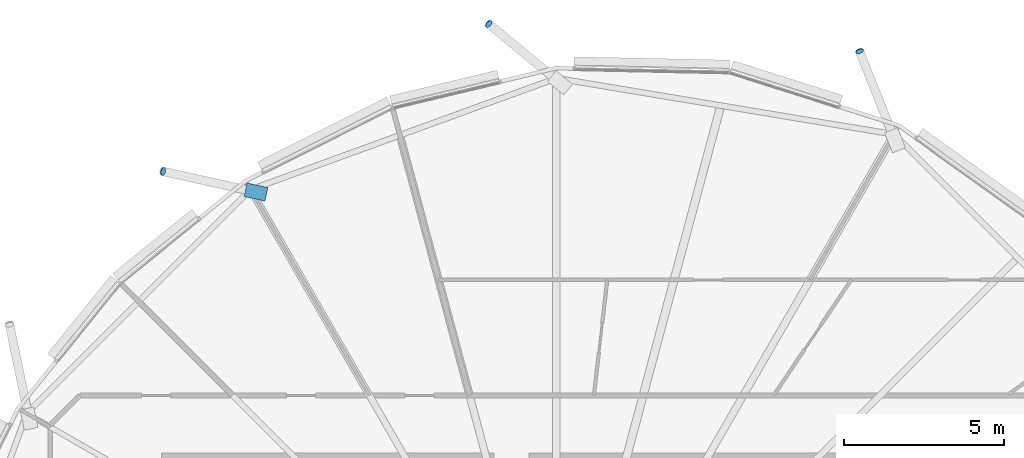
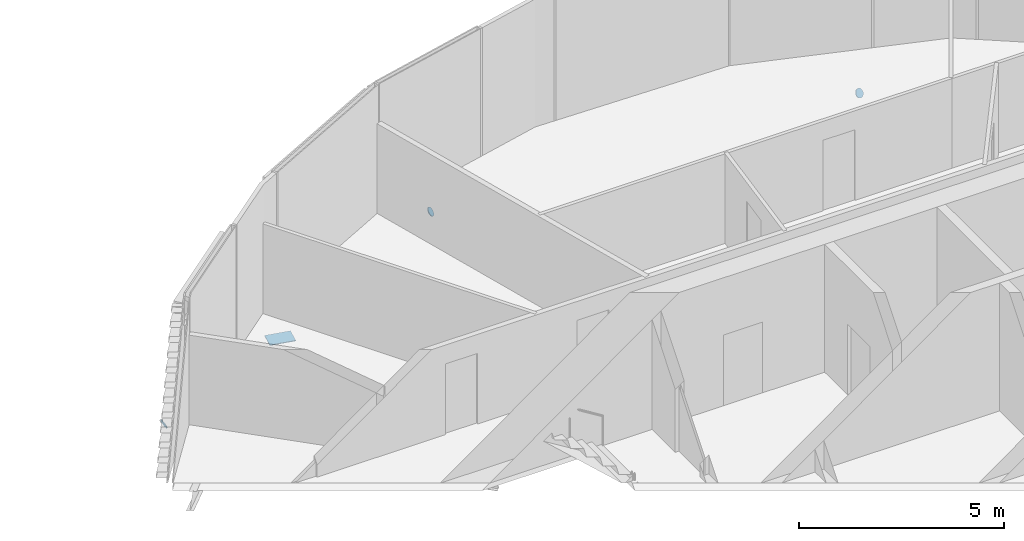
# One storey, part 30 of 36: 4 discrete accessories.
"""IFC4 building model written with IfcOpenShell, lengths in metres."""

from ifc_helpers import new_model, si_unit, direction, frame, origin, origin_2d, place, context, subcontext, project, spatial, polyline, rectangle, circle, outline, extrude, material, material_profile, profile_set, type_object, element, save


model = new_model("IFC4")

# Units and contexts
model_context = context("Model", 3, precision=1e-05, world=origin(), true_north=direction((0.0, 1.0)))
body_context = subcontext(model_context, "Body", "Model", "MODEL_VIEW")
ifc_project = project(units=[si_unit("LENGTHUNIT", "METRE"), si_unit("AREAUNIT", "SQUARE_METRE"), si_unit("VOLUMEUNIT", "CUBIC_METRE"), si_unit("PLANEANGLEUNIT", "RADIAN"), si_unit("MASSUNIT", "GRAM", prefix="KILO")], contexts=[model_context])

# Site, building, storey
site_placement = place(None, origin())
site = spatial("IfcSite", under=ifc_project, at=site_placement, CompositionType="ELEMENT")
building_placement = place(site_placement, origin())
building = spatial("IfcBuilding", under=site, at=building_placement, Name="Rimbun Link Towers", CompositionType="ELEMENT")
storey_placement = place(building_placement, frame((0.0, 0.0, 200.699951171875)))
storey = spatial("IfcBuildingStorey", under=building, at=storey_placement, Name="L49", CompositionType="ELEMENT", Elevation=200.699951171875)

# Discrete accessories
ifc_material_1 = material(Name="Steel S355J2H", Category="steel")
ifc_material_profile_1 = material_profile(ifc_material_1, circle(Radius=0.1240234375, at=origin_2d()), Name="PL D248")
ifc_profile_set_1 = profile_set([ifc_material_profile_1], Name="Steel S355J2H")
discrete_accessory_type_1 = type_object("IfcDiscreteAccessoryType", Name="Link foot sealing plate D248X20", PredefinedType="BRACKET", material=ifc_profile_set_1)
discrete_accessory_1_placement = place(storey_placement, frame((41.202880859375, 20.814208984375, -2.65380859375), z_axis=(-0.314442005857, 0.786105014643, -0.532132625297), x_axis=(-0.928476690885, -0.371390676354, 0.0)))
element("IfcDiscreteAccessory", 1, at=discrete_accessory_1_placement, inside=storey, type_object=discrete_accessory_type_1, Name="Link foot sealing plate T2 L49 01", PredefinedType="BRACKET", context=body_context, shape_type="SweptSolid", body=[
    extrude(circle(Radius=0.1240234375, at=origin_2d()), origin(), (0.0, 0.0, 1.0), 0.020263671875),
])
discrete_accessory_2_placement = place(storey_placement, frame((29.647705078125, 21.667236328125, -2.646240234375), z_axis=(-0.632642732136, 0.535313081038, -0.559645493813), x_axis=(-0.645942241466, -0.763386285369, 0.0)))
element("IfcDiscreteAccessory", 2, at=discrete_accessory_2_placement, inside=storey, type_object=discrete_accessory_type_1, Name="Link foot sealing plate T2 L49 03", PredefinedType="BRACKET", context=body_context, shape_type="SweptSolid", body=[
    extrude(circle(Radius=0.1240234375, at=origin_2d()), origin(), (0.0, 0.0, 1.0), 0.02001953125),
])
discrete_accessory_3_placement = place(storey_placement, frame((19.501220703125, 17.072265625, -2.610595703125), z_axis=(-0.823404068903, 0.172054581562, -0.540742970623), x_axis=(-0.20453763878, -0.978858699876, 0.0)))
element("IfcDiscreteAccessory", 3, at=discrete_accessory_3_placement, inside=storey, type_object=discrete_accessory_type_1, Name="Link foot sealing plate T2 L49 05", PredefinedType="BRACKET", context=body_context, shape_type="SweptSolid", body=[
    extrude(circle(Radius=0.1240234375, at=origin_2d()), origin(), (0.0, 0.0, 1.0), 0.019775390625),
])
ifc_material_2 = material(Name="Steel S355J2H", Category="steel")
ifc_material_profile_2 = material_profile(ifc_material_2, rectangle(XDim=0.43310546875, YDim=0.43310546875, at=origin_2d()), Name="PL 433x433")
ifc_profile_set_2 = profile_set([ifc_material_profile_2], Name="Steel S355J2H")
discrete_accessory_type_2 = type_object("IfcDiscreteAccessoryType", Name="Link head end plate 433X20", PredefinedType="BRACKET", material=ifc_profile_set_2)
discrete_accessory_4_placement = place(storey_placement, frame((0.0, 0.0, -0.703125)))
element("IfcDiscreteAccessory", 4, at=discrete_accessory_4_placement, inside=storey, type_object=discrete_accessory_type_2, Name="Link head end plate T2 L49 05", PredefinedType="BRACKET", context=body_context, shape_type="SweptSolid", body=[
    extrude(outline(polyline([(22.75927734375, 16.571044921875), (22.111328125, 16.714599609375), (22.017578125, 16.2919921875), (22.665283203125, 16.148193359375), (22.75927734375, 16.571044921875)])), origin(), (0.0, 0.0, 1.0), 0.02001953125),
])

save(model, "model.ifc")
